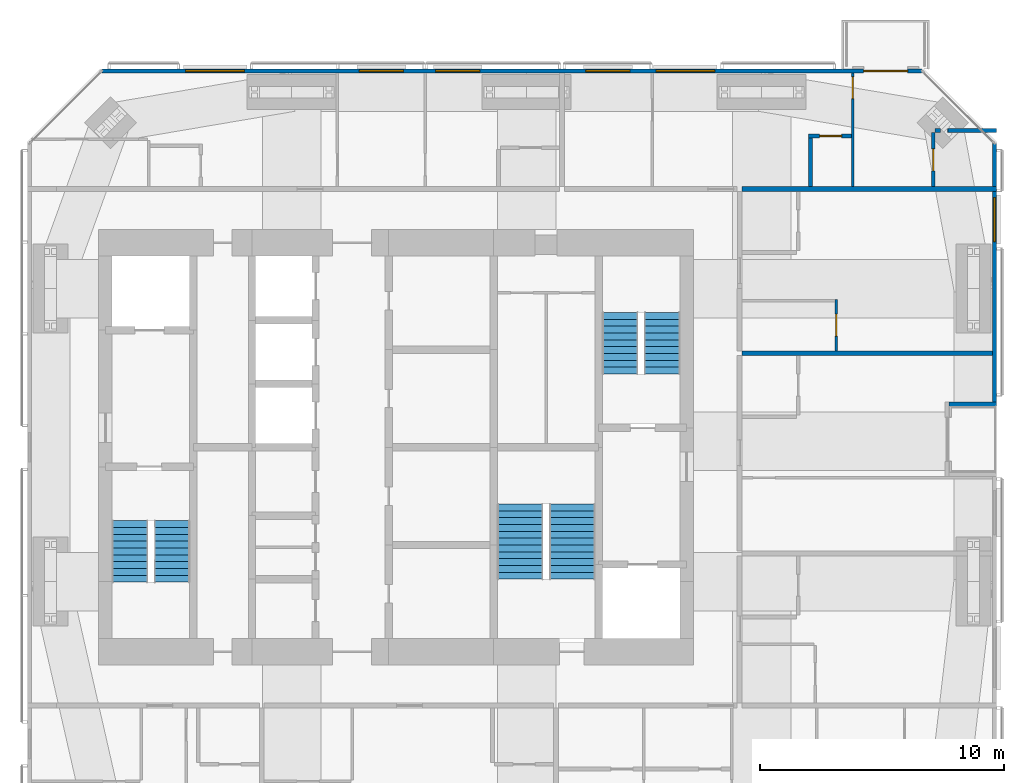
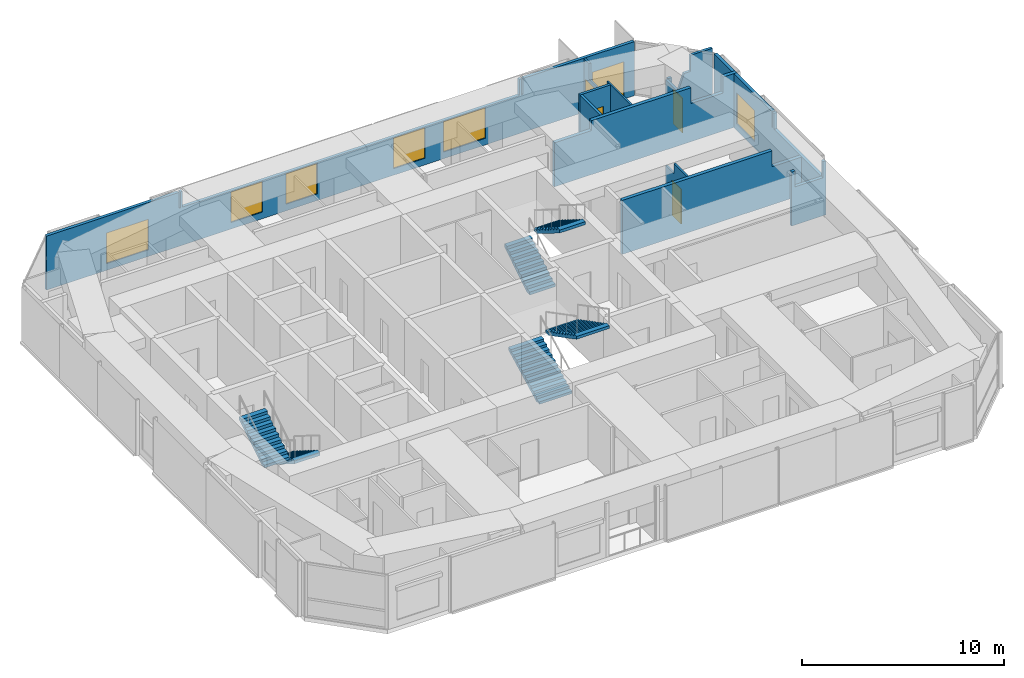
# One storey, part 18 of 19: 12 walls, 6 stair flights, 6 windows, 5 doors, 11 openings, 3 elements without a shape of their own.
"""IFC4 building model written with IfcOpenShell, lengths in metres."""

from ifc_helpers import new_model, si_unit, direction, frame, frame_2d, origin, place, context, subcontext, project, spatial, polyline, rectangle, outline, extrude, material, constituent, constituent_set, type_object, element, fill, aggregate, save


model = new_model("IFC4")

# Units and contexts
model_context = context("Model", 3, precision=1e-05, world=origin(), true_north=direction((0.0, 1.0)))
body_context = subcontext(model_context, "Body", "Model", "MODEL_VIEW")
ifc_project = project(units=[si_unit("LENGTHUNIT", "METRE"), si_unit("AREAUNIT", "SQUARE_METRE"), si_unit("VOLUMEUNIT", "CUBIC_METRE"), si_unit("PLANEANGLEUNIT", "RADIAN"), si_unit("MASSUNIT", "GRAM", prefix="KILO")], contexts=[model_context])

# Site, building, storey
site_placement = place(None, origin())
site = spatial("IfcSite", under=ifc_project, at=site_placement, CompositionType="ELEMENT")
building_placement = place(site_placement, origin())
building = spatial("IfcBuilding", under=site, at=building_placement, Name="Jalousie Tower", CompositionType="ELEMENT")
storey_placement = place(building_placement, frame((0.0, 0.0, 224.949951171875)))
storey = spatial("IfcBuildingStorey", under=building, at=storey_placement, Name="L61", CompositionType="ELEMENT", Elevation=224.949951171875)

# Walls
ifc_material_1 = material(Name="Concrete block ASTM C90", Category="concrete")
ifc_constituent_1 = constituent(ifc_material_1, Name="Body")
ifc_material_2 = material(Name="Render")
ifc_constituent_2 = constituent(ifc_material_2, Name="Finish")
ifc_constituent_set_1 = constituent_set(constituents=[ifc_constituent_1, ifc_constituent_2])
wall_type_1 = type_object("IfcWallType", Name="BATHROOM WALL 150", PredefinedType="PLUMBINGWALL", material=ifc_constituent_set_1)
wall_1_placement = place(storey_placement, frame((53.97509765625, 31.47509765625, 0.0), z_axis=(0.0, 0.0, 1.0), x_axis=(1.0, 0.0, 0.0)))
element("IfcWall", 1, at=wall_1_placement, inside=storey, type_object=wall_type_1, Name="Bathroom Wall 150 L61-A", PredefinedType="PLUMBINGWALL", context=body_context, shape_type="SweptSolid", body=[
    extrude(rectangle(XDim=0.216796875, YDim=0.14990234375, at=frame_2d((0.1083984375, 0.0))), origin(), (0.0, 0.0, 1.0), 2.300048828125),
])
wall_2_placement = place(storey_placement, frame((54.4833984375, 31.47509765625, 0.0), z_axis=(0.0, 0.0, 1.0), x_axis=(1.0, 0.0, 0.0)))
element("IfcWall", 2, at=wall_2_placement, inside=storey, type_object=wall_type_1, Name="Bathroom Wall 150 L61-B", PredefinedType="PLUMBINGWALL", context=body_context, shape_type="SweptSolid", body=[
    extrude(outline(polyline([(0.768310546875, 3.260009765625), (0.768310546875, 2.300048828125), (0.4072265625, 2.300048828125), (0.39599609375, 2.2392578125), (0.0, 1.150146484375), (0.39599609375, 0.06103515625), (0.4072265625, 0.0), (2.0166015625, 0.0), (2.0166015625, 3.260009765625), (0.768310546875, 3.260009765625)])), frame((0.0, 0.074951171875, 0.0), z_axis=(0.0, -1.0, 0.0), x_axis=(1.0, 0.0, 0.0)), (0.0, 0.0, 1.0), 0.14990234375),
])

# Wall, opening, door
wall_3_placement = place(storey_placement, frame((53.89990234375, 31.39990234375, 0.0), z_axis=(0.0, 0.0, 1.0), x_axis=(0.0, -1.0, 0.0)))
wall_3 = element("IfcWall", 3, at=wall_3_placement, inside=storey, type_object=wall_type_1, Name="Bathroom Wall 150 L61", PredefinedType="PLUMBINGWALL", context=body_context, shape_type="SweptSolid", body=[
    extrude(outline(polyline([(0.0, 0.0), (2.224853515625, 0.0), (2.22509765625, 3.260009765625), (2.22509765625, 2.300048828125), (0.43798828125, 2.300048828125), (0.0, 2.300048828125), (0.0, 3.260009765625), (0.0, 0.0)])), frame((0.0, 0.074951171875, 0.0), z_axis=(0.0, -1.0, 0.0), x_axis=(1.0, 0.0, 0.0)), (0.0, 0.0, 1.0), 0.14990234375),
])
opening_1_placement = place(wall_3_placement, frame((0.675048828125, 0.0, 0.0)))
opening_1 = element("IfcOpeningElement", 4, at=opening_1_placement, cuts=wall_3, Name="Opening D3", PredefinedType="OPENING", context=body_context, shape_type="SweptSolid", body=[
    extrude(rectangle(XDim=0.89990234375, YDim=2.10009765625, at=frame_2d((0.449951171875, 1.050048828125))), frame((0.0, 0.0849609375, 0.0), z_axis=(0.0, -1.0, 0.0), x_axis=(1.0, 0.0, 0.0)), (0.0, 0.0, 1.0), 0.169921875),
])
ifc_material_3 = material(Name="Timber door", Category="wood")
door_type_1 = type_object("IfcDoorType", Name="BATHROOM DOOR 900", OperationType="SINGLE_SWING_LEFT", PredefinedType="DOOR", material=ifc_material_3)
door_1_placement = place(opening_1_placement, origin())
door_1 = element("IfcDoor", 5, at=door_1_placement, inside=storey, type_object=door_type_1, Name="Apartment 6105 bathroom door", OperationType="SINGLE_SWING_RIGHT", OverallHeight=2.10009765625, OverallWidth=0.89990234375, PredefinedType="DOOR", context=body_context, shape_type="SweptSolid", body=[
    extrude(rectangle(XDim=0.89990234375, YDim=2.10009765625, at=frame_2d((0.449951171875, 1.050048828125))), frame((0.0, 0.02490234375, 0.0), z_axis=(0.0, -1.0, 0.0), x_axis=(1.0, 0.0, 0.0)), (0.0, 0.0, 1.0), 0.050048828125),
])
fill(opening_1, door_1)

wall_4_placement = place(storey_placement, frame((50.552490234375, 31.25, 0.0), z_axis=(0.0, 0.0, 1.0), x_axis=(-1.0, 0.0, 0.0)))
wall_4 = element("IfcWall", 6, at=wall_4_placement, inside=storey, type_object=wall_type_1, Name="Bathroom Wall 150 L61", PredefinedType="PLUMBINGWALL", context=body_context, shape_type="SweptSolid", body=[
    extrude(rectangle(XDim=1.75, YDim=0.14990234375, at=frame_2d((0.875, 0.0))), origin(), (0.0, 0.0, 1.0), 3.260009765625),
])
opening_2_placement = place(wall_4_placement, frame((0.39990234375, 0.0, 0.0)))
opening_2 = element("IfcOpeningElement", 7, at=opening_2_placement, cuts=wall_4, Name="Opening D7", PredefinedType="OPENING", context=body_context, shape_type="SweptSolid", body=[
    extrude(rectangle(XDim=0.89990234375, YDim=2.10009765625, at=frame_2d((0.449951171875, 1.050048828125))), frame((0.0, 0.0849609375, 0.0), z_axis=(0.0, -1.0, 0.0), x_axis=(1.0, 0.0, 0.0)), (0.0, 0.0, 1.0), 0.169921875),
])
ifc_material_4 = material(Name="Timber door", Category="wood")
door_type_2 = type_object("IfcDoorType", Name="INTERNAL DOOR 900", OperationType="SINGLE_SWING_LEFT", PredefinedType="DOOR", material=ifc_material_4)
door_2_placement = place(opening_2_placement, origin())
door_2 = element("IfcDoor", 8, at=door_2_placement, inside=storey, type_object=door_type_2, Name="Apartment 6105 guest WC door", OperationType="SINGLE_SWING_RIGHT", OverallHeight=2.10009765625, OverallWidth=0.89990234375, PredefinedType="DOOR", context=body_context, shape_type="SweptSolid", body=[
    extrude(rectangle(XDim=0.89990234375, YDim=2.10009765625, at=frame_2d((0.449951171875, 1.050048828125))), frame((0.0, 0.02490234375, 0.0), z_axis=(0.0, -1.0, 0.0), x_axis=(1.0, 0.0, 0.0)), (0.0, 0.0, 1.0), 0.050048828125),
])
fill(opening_2, door_2)

# Wall
wall_5_placement = place(storey_placement, frame((48.87744140625, 29.175048828125, 0.0), z_axis=(0.0, 0.0, 1.0), x_axis=(0.0, 1.0, 0.0)))
element("IfcWall", 9, at=wall_5_placement, inside=storey, type_object=wall_type_1, Name="Bathroom Wall 150 L61", PredefinedType="PLUMBINGWALL", context=body_context, shape_type="SweptSolid", body=[
    extrude(rectangle(XDim=2.0, YDim=0.14990234375, at=frame_2d((1.0, 0.0))), origin(), (0.0, 0.0, 1.0), 3.260009765625),
])

# Wall, opening, window
ifc_material_5 = material(Name="Concrete f'c 40 MPa", Category="concrete")
ifc_constituent_3 = constituent(ifc_material_5, Name="Body")
ifc_material_6 = material(Name="Render, pastel sky blue")
ifc_constituent_4 = constituent(ifc_material_6, Name="Finish")
ifc_constituent_set_2 = constituent_set(constituents=[ifc_constituent_3, ifc_constituent_4])
wall_type_2 = type_object("IfcWallType", Name="EXTERNAL WALL 175 SKY BLUE RENDER", PredefinedType="SOLIDWALL", material=ifc_constituent_set_2)
wall_6_placement = place(storey_placement, frame((56.41259765625, 20.35009765625, 0.0), z_axis=(0.0, 0.0, 1.0), x_axis=(0.0, 1.0, 0.0)))
wall_6 = element("IfcWall", 10, at=wall_6_placement, inside=storey, type_object=wall_type_2, Name="External Wall 175 Sky Blue Render L61", PredefinedType="SOLIDWALL", context=body_context, shape_type="SweptSolid", body=[
    extrude(outline(polyline([(0.0, 0.0), (10.5986328125, 0.0), (10.5986328125, 3.260009765625), (4.8583984375, 3.260009765625), (4.8583984375, 2.300048828125), (4.79345703125, 2.300048828125), (4.79345703125, 3.260009765625), (4.64990234375, 3.260009765625), (4.64990234375, 2.300048828125), (0.0, 2.300048828125), (0.0, 0.0)])), frame((0.0, 0.08740234375, 0.0), z_axis=(0.0, -1.0, 0.0), x_axis=(1.0, 0.0, 0.0)), (0.0, 0.0, 1.0), 0.175048828125),
])
opening_3_placement = place(wall_6_placement, frame((6.574951171875, 0.0, 0.39990234375)))
opening_3 = element("IfcOpeningElement", 11, at=opening_3_placement, cuts=wall_6, Name="Opening W-BED185", PredefinedType="OPENING", context=body_context, shape_type="SweptSolid", body=[
    extrude(rectangle(XDim=1.800048828125, YDim=1.85009765625, at=frame_2d((0.89990234375, 0.925048828125))), frame((0.0, 0.097412109375, 0.0), z_axis=(0.0, -1.0, 0.0), x_axis=(1.0, 0.0, 0.0)), (0.0, 0.0, 1.0), 0.195068359375),
])
ifc_material_7 = material(Name="Aluminium frame, impact-rated glazing", Category="aluminium")
window_type_1 = type_object("IfcWindowType", Name="WINDOW BED 1800x1850", PartitioningType="SINGLE_PANEL", PredefinedType="WINDOW", material=ifc_material_7)
window_1_placement = place(opening_3_placement, origin())
window_1 = element("IfcWindow", 12, at=window_1_placement, inside=storey, type_object=window_type_1, Name="Apartment 6108 studio living and sleeping room window", OverallHeight=1.85009765625, OverallWidth=1.800048828125, PartitioningType="SINGLE_PANEL", PredefinedType="WINDOW", context=body_context, shape_type="SweptSolid", body=[
    extrude(rectangle(XDim=1.800048828125, YDim=1.85009765625, at=frame_2d((0.89990234375, 0.925048828125))), frame((0.0, 0.030029296875, 0.0), z_axis=(0.0, -1.0, 0.0), x_axis=(1.0, 0.0, 0.0)), (0.0, 0.0, 1.0), 0.06005859375),
])
fill(opening_3, window_1)

# Wall
wall_7_placement = place(storey_placement, frame((56.5, 20.262451171875, 0.0), z_axis=(0.0, 0.0, 1.0), x_axis=(-1.0, 0.0, 0.0)))
element("IfcWall", 13, at=wall_7_placement, inside=storey, type_object=wall_type_2, Name="External Wall 175 Sky Blue Render L61", PredefinedType="SOLIDWALL", context=body_context, shape_type="SweptSolid", body=[
    extrude(outline(polyline([(0.0, 0.0), (1.949951171875, 0.0), (1.949951171875, 3.260009765625), (1.75, 3.260009765625), (1.75, 2.300048828125), (0.14990234375, 2.300048828125), (0.14990234375, 3.260009765625), (0.0, 3.260009765625), (0.0, 0.0)])), frame((0.0, 0.08740234375, 0.0), z_axis=(0.0, -1.0, 0.0), x_axis=(1.0, 0.0, 0.0)), (0.0, 0.0, 1.0), 0.175048828125),
])

# Wall, openings, door, windows
wall_8_placement = place(storey_placement, frame((53.44873046875, 33.91259765625, 0.0), z_axis=(0.0, 0.0, 1.0), x_axis=(-1.0, 0.0, 0.0)))
wall_8 = element("IfcWall", 14, at=wall_8_placement, inside=storey, type_object=wall_type_2, Name="External Wall 175 Sky Blue Render L61", PredefinedType="SOLIDWALL", context=body_context, shape_type="SweptSolid", body=[
    extrude(outline(polyline([(0.0, 0.0), (33.597412109375, 0.0), (33.597412109375, 3.260009765625), (26.03857421875, 3.260009765625), (26.03857421875, 2.300048828125), (25.955078125, 2.300048828125), (25.955078125, 3.260009765625), (25.82373046875, 3.260009765625), (25.82373046875, 2.300048828125), (6.57373046875, 2.300048828125), (6.57373046875, 3.260009765625), (6.4423828125, 3.260009765625), (6.4423828125, 2.300048828125), (6.35888671875, 2.300048828125), (6.35888671875, 3.260009765625), (0.0, 3.260009765625), (0.0, 0.0)])), frame((0.0, 0.08740234375, 0.0), z_axis=(0.0, -1.0, 0.0), x_axis=(1.0, 0.0, 0.0)), (0.0, 0.0, 1.0), 0.175048828125),
])
opening_4_placement = place(wall_8_placement, frame((0.60009765625, 0.0, 0.0)))
opening_4 = element("IfcOpeningElement", 15, at=opening_4_placement, cuts=wall_8, Name="Opening D-BAL22", PredefinedType="OPENING", context=body_context, shape_type="SweptSolid", body=[
    extrude(rectangle(XDim=1.800048828125, YDim=2.25, at=frame_2d((0.89990234375, 1.125))), frame((0.0, 0.097412109375, 0.0), z_axis=(0.0, -1.0, 0.0), x_axis=(1.0, 0.0, 0.0)), (0.0, 0.0, 1.0), 0.195068359375),
])
opening_5_placement = place(wall_8_placement, frame((8.498779296875, 0.0, 0.39990234375)))
opening_5 = element("IfcOpeningElement", 16, at=opening_5_placement, cuts=wall_8, Name="Opening W-LIV185", PredefinedType="OPENING", context=body_context, shape_type="SweptSolid", body=[
    extrude(rectangle(XDim=2.39990234375, YDim=1.85009765625, at=frame_2d((1.199951171875, 0.925048828125))), frame((0.0, 0.097412109375, 0.0), z_axis=(0.0, -1.0, 0.0), x_axis=(1.0, 0.0, 0.0)), (0.0, 0.0, 1.0), 0.195068359375),
])
opening_6_placement = place(wall_8_placement, frame((11.9736328125, 0.0, 0.39990234375)))
opening_6 = element("IfcOpeningElement", 17, at=opening_6_placement, cuts=wall_8, Name="Opening W-BED185", PredefinedType="OPENING", context=body_context, shape_type="SweptSolid", body=[
    extrude(rectangle(XDim=1.800048828125, YDim=1.85009765625, at=frame_2d((0.89990234375, 0.925048828125))), frame((0.0, 0.097412109375, 0.0), z_axis=(0.0, -1.0, 0.0), x_axis=(1.0, 0.0, 0.0)), (0.0, 0.0, 1.0), 0.195068359375),
])
opening_7_placement = place(wall_8_placement, frame((18.123779296875, 0.0, 0.39990234375)))
opening_7 = element("IfcOpeningElement", 18, at=opening_7_placement, cuts=wall_8, Name="Opening W-BED185", PredefinedType="OPENING", context=body_context, shape_type="SweptSolid", body=[
    extrude(rectangle(XDim=1.800048828125, YDim=1.85009765625, at=frame_2d((0.89990234375, 0.925048828125))), frame((0.0, 0.097412109375, 0.0), z_axis=(0.0, -1.0, 0.0), x_axis=(1.0, 0.0, 0.0)), (0.0, 0.0, 1.0), 0.195068359375),
])
opening_8_placement = place(wall_8_placement, frame((21.248779296875, 0.0, 0.39990234375)))
opening_8 = element("IfcOpeningElement", 19, at=opening_8_placement, cuts=wall_8, Name="Opening W-BED185", PredefinedType="OPENING", context=body_context, shape_type="SweptSolid", body=[
    extrude(rectangle(XDim=1.800048828125, YDim=1.85009765625, at=frame_2d((0.89990234375, 0.925048828125))), frame((0.0, 0.097412109375, 0.0), z_axis=(0.0, -1.0, 0.0), x_axis=(1.0, 0.0, 0.0)), (0.0, 0.0, 1.0), 0.195068359375),
])
opening_9_placement = place(wall_8_placement, frame((27.760498046875, 0.0, 0.39990234375)))
opening_9 = element("IfcOpeningElement", 20, at=opening_9_placement, cuts=wall_8, Name="Opening W-LIV185", PredefinedType="OPENING", context=body_context, shape_type="SweptSolid", body=[
    extrude(rectangle(XDim=2.39990234375, YDim=1.85009765625, at=frame_2d((1.199951171875, 0.925048828125))), frame((0.0, 0.097412109375, 0.0), z_axis=(0.0, -1.0, 0.0), x_axis=(1.0, 0.0, 0.0)), (0.0, 0.0, 1.0), 0.195068359375),
])
ifc_material_8 = material(Name="Aluminium frame, impact-rated glazing", Category="aluminium")
door_type_3 = type_object("IfcDoorType", Name="BALCONY DOOR 1800x2250", OperationType="SLIDING_TO_LEFT", PredefinedType="DOOR", material=ifc_material_8)
door_3_placement = place(opening_4_placement, origin())
door_3 = element("IfcDoor", 21, at=door_3_placement, inside=storey, type_object=door_type_3, Name="Apartment 6105 bedroom 1 balcony door", OperationType="SLIDING_TO_LEFT", OverallHeight=2.25, OverallWidth=1.800048828125, PredefinedType="DOOR", context=body_context, shape_type="SweptSolid", body=[
    extrude(rectangle(XDim=1.800048828125, YDim=2.25, at=frame_2d((0.89990234375, 1.125))), frame((0.0, 0.02490234375, 0.0), z_axis=(0.0, -1.0, 0.0), x_axis=(1.0, 0.0, 0.0)), (0.0, 0.0, 1.0), 0.050048828125),
])
fill(opening_4, door_3)
window_2_placement = place(opening_6_placement, origin())
window_2 = element("IfcWindow", 22, at=window_2_placement, inside=storey, type_object=window_type_1, Name="Apartment 6105 bedroom 2 window", OverallHeight=1.85009765625, OverallWidth=1.800048828125, PartitioningType="SINGLE_PANEL", PredefinedType="WINDOW", context=body_context, shape_type="SweptSolid", body=[
    extrude(rectangle(XDim=1.800048828125, YDim=1.85009765625, at=frame_2d((0.89990234375, 0.925048828125))), frame((0.0, 0.030029296875, 0.0), z_axis=(0.0, -1.0, 0.0), x_axis=(1.0, 0.0, 0.0)), (0.0, 0.0, 1.0), 0.06005859375),
])
fill(opening_6, window_2)
window_3_placement = place(opening_7_placement, origin())
window_3 = element("IfcWindow", 23, at=window_3_placement, inside=storey, type_object=window_type_1, Name="Apartment 6104 bedroom 1 window", OverallHeight=1.85009765625, OverallWidth=1.800048828125, PartitioningType="SINGLE_PANEL", PredefinedType="WINDOW", context=body_context, shape_type="SweptSolid", body=[
    extrude(rectangle(XDim=1.800048828125, YDim=1.85009765625, at=frame_2d((0.89990234375, 0.925048828125))), frame((0.0, 0.030029296875, 0.0), z_axis=(0.0, -1.0, 0.0), x_axis=(1.0, 0.0, 0.0)), (0.0, 0.0, 1.0), 0.06005859375),
])
fill(opening_7, window_3)
window_4_placement = place(opening_8_placement, origin())
window_4 = element("IfcWindow", 24, at=window_4_placement, inside=storey, type_object=window_type_1, Name="Apartment 6104 bedroom 2 window", OverallHeight=1.85009765625, OverallWidth=1.800048828125, PartitioningType="SINGLE_PANEL", PredefinedType="WINDOW", context=body_context, shape_type="SweptSolid", body=[
    extrude(rectangle(XDim=1.800048828125, YDim=1.85009765625, at=frame_2d((0.89990234375, 0.925048828125))), frame((0.0, 0.030029296875, 0.0), z_axis=(0.0, -1.0, 0.0), x_axis=(1.0, 0.0, 0.0)), (0.0, 0.0, 1.0), 0.06005859375),
])
fill(opening_8, window_4)
ifc_material_9 = material(Name="Aluminium frame, impact-rated glazing", Category="aluminium")
window_type_2 = type_object("IfcWindowType", Name="WINDOW LIV 2400x1850", PartitioningType="DOUBLE_PANEL_VERTICAL", PredefinedType="WINDOW", material=ifc_material_9)
window_5_placement = place(opening_5_placement, origin())
window_5 = element("IfcWindow", 25, at=window_5_placement, inside=storey, type_object=window_type_2, Name="Apartment 6105 living, dining and kitchen window", OverallHeight=1.85009765625, OverallWidth=2.39990234375, PartitioningType="SINGLE_PANEL", PredefinedType="WINDOW", context=body_context, shape_type="SweptSolid", body=[
    extrude(rectangle(XDim=2.39990234375, YDim=1.85009765625, at=frame_2d((1.199951171875, 0.925048828125))), frame((0.0, 0.030029296875, 0.0), z_axis=(0.0, -1.0, 0.0), x_axis=(1.0, 0.0, 0.0)), (0.0, 0.0, 1.0), 0.06005859375),
])
fill(opening_5, window_5)
window_6_placement = place(opening_9_placement, origin())
window_6 = element("IfcWindow", 26, at=window_6_placement, inside=storey, type_object=window_type_2, Name="Apartment 6104 living and dining room window", OverallHeight=1.85009765625, OverallWidth=2.39990234375, PartitioningType="SINGLE_PANEL", PredefinedType="WINDOW", context=body_context, shape_type="SweptSolid", body=[
    extrude(rectangle(XDim=2.39990234375, YDim=1.85009765625, at=frame_2d((1.199951171875, 0.925048828125))), frame((0.0, 0.030029296875, 0.0), z_axis=(0.0, -1.0, 0.0), x_axis=(1.0, 0.0, 0.0)), (0.0, 0.0, 1.0), 0.06005859375),
])
fill(opening_9, window_6)

# Wall, opening, door
ifc_material_10 = material(Name="Gypsum board", Category="gypsum")
ifc_constituent_5 = constituent(ifc_material_10, Name="Body")
ifc_material_11 = material(Name="Light-gauge steel studs ASTM A653 SS Grade 33", Category="steel")
ifc_constituent_6 = constituent(ifc_material_11, Name="Framing")
ifc_constituent_set_3 = constituent_set(constituents=[ifc_constituent_5, ifc_constituent_6])
wall_type_3 = type_object("IfcWallType", Name="PARTITION 100", PredefinedType="PARTITIONING", material=ifc_constituent_set_3)
wall_9_placement = place(storey_placement, frame((50.6025390625, 33.824951171875, 0.0), z_axis=(0.0, 0.0, 1.0), x_axis=(0.0, -1.0, 0.0)))
wall_9 = element("IfcWall", 27, at=wall_9_placement, inside=storey, type_object=wall_type_3, Name="Partition 100 L61", PredefinedType="PARTITIONING", context=body_context, shape_type="SweptSolid", body=[
    extrude(outline(polyline([(0.0, 0.0), (4.64990234375, 0.0), (4.64990234375, 3.260009765625), (2.279052734375, 3.260009765625), (2.279052734375, 2.300048828125), (0.534423828125, 2.300048828125), (0.534423828125, 3.260009765625), (0.0, 3.260009765625), (0.0, 0.0)])), frame((0.0, 0.050048828125, 0.0), z_axis=(0.0, -1.0, 0.0), x_axis=(1.0, 0.0, 0.0)), (0.0, 0.0, 1.0), 0.10009765625),
])
opening_10_placement = place(wall_9_placement, frame((0.14990234375, 0.0, 0.0)))
opening_10 = element("IfcOpeningElement", 28, at=opening_10_placement, cuts=wall_9, Name="Opening D2", PredefinedType="OPENING", context=body_context, shape_type="SweptSolid", body=[
    extrude(rectangle(XDim=0.89990234375, YDim=2.10009765625, at=frame_2d((0.449951171875, 1.050048828125))), frame((0.0, 0.06005859375, 0.0), z_axis=(0.0, -1.0, 0.0), x_axis=(1.0, 0.0, 0.0)), (0.0, 0.0, 1.0), 0.1201171875),
])
ifc_material_12 = material(Name="Timber door", Category="wood")
door_type_4 = type_object("IfcDoorType", Name="BEDROOM DOOR 900", OperationType="SINGLE_SWING_LEFT", PredefinedType="DOOR", material=ifc_material_12)
door_4_placement = place(opening_10_placement, origin())
door_4 = element("IfcDoor", 29, at=door_4_placement, inside=storey, type_object=door_type_4, Name="Apartment 6105 bedroom 1 door", OperationType="SINGLE_SWING_LEFT", OverallHeight=2.10009765625, OverallWidth=0.89990234375, PredefinedType="DOOR", context=body_context, shape_type="SweptSolid", body=[
    extrude(rectangle(XDim=0.89990234375, YDim=2.10009765625, at=frame_2d((0.449951171875, 1.050048828125))), frame((0.0, 0.02490234375, 0.0), z_axis=(0.0, -1.0, 0.0), x_axis=(1.0, 0.0, 0.0)), (0.0, 0.0, 1.0), 0.050048828125),
])
fill(opening_10, door_4)

wall_10_placement = place(storey_placement, frame((49.925048828125, 22.449951171875, 0.0), z_axis=(0.0, 0.0, 1.0), x_axis=(0.0, 1.0, 0.0)))
wall_10 = element("IfcWall", 30, at=wall_10_placement, inside=storey, type_object=wall_type_3, Name="Partition 100 L61", PredefinedType="PARTITIONING", context=body_context, shape_type="SweptSolid", body=[
    extrude(outline(polyline([(0.0, 0.0), (2.10009765625, 0.0), (2.10009765625, 3.260009765625), (2.10009765625, 2.66015625), (1.2900390625, 2.66015625), (1.2900390625, 3.260009765625), (0.0, 3.260009765625), (0.0, 0.0)])), frame((0.0, 0.050048828125, 0.0), z_axis=(0.0, -1.0, 0.0), x_axis=(1.0, 0.0, 0.0)), (0.0, 0.0, 1.0), 0.10009765625),
])
opening_11_placement = place(wall_10_placement, frame((0.60009765625, 0.0, 0.0)))
opening_11 = element("IfcOpeningElement", 31, at=opening_11_placement, cuts=wall_10, Name="Opening D7", PredefinedType="OPENING", context=body_context, shape_type="SweptSolid", body=[
    extrude(rectangle(XDim=0.89990234375, YDim=2.10009765625, at=frame_2d((0.449951171875, 1.050048828125))), frame((0.0, 0.06005859375, 0.0), z_axis=(0.0, -1.0, 0.0), x_axis=(1.0, 0.0, 0.0)), (0.0, 0.0, 1.0), 0.1201171875),
])
door_5_placement = place(opening_11_placement, origin())
door_5 = element("IfcDoor", 32, at=door_5_placement, inside=storey, type_object=door_type_2, Name="Apartment 6108 kitchen door", OperationType="SINGLE_SWING_RIGHT", OverallHeight=2.10009765625, OverallWidth=0.89990234375, PredefinedType="DOOR", context=body_context, shape_type="SweptSolid", body=[
    extrude(rectangle(XDim=0.89990234375, YDim=2.10009765625, at=frame_2d((0.449951171875, 1.050048828125))), frame((0.0, 0.02490234375, 0.0), z_axis=(0.0, -1.0, 0.0), x_axis=(1.0, 0.0, 0.0)), (0.0, 0.0, 1.0), 0.050048828125),
])
fill(opening_11, door_5)

# Walls
ifc_material_13 = material(Name="Concrete block ASTM C90", Category="concrete")
ifc_constituent_7 = constituent(ifc_material_13, Name="Body")
ifc_material_14 = material(Name="Render")
ifc_constituent_8 = constituent(ifc_material_14, Name="Finish")
ifc_constituent_set_4 = constituent_set(constituents=[ifc_constituent_7, ifc_constituent_8])
wall_type_4 = type_object("IfcWallType", Name="PARTY WALL 200", PredefinedType="PARTITIONING", material=ifc_constituent_set_4)
wall_11_placement = place(storey_placement, frame((46.074951171875, 29.074951171875, 0.0), z_axis=(0.0, 0.0, 1.0), x_axis=(1.0, 0.0, 0.0)))
element("IfcWall", 33, at=wall_11_placement, inside=storey, type_object=wall_type_4, Name="Party Wall 200 L61", PredefinedType="PARTITIONING", context=body_context, shape_type="SweptSolid", body=[
    extrude(outline(polyline([(0.0, 0.0), (10.425048828125, 0.0), (10.425048828125, 3.260009765625), (9.646240234375, 3.260009765625), (9.646240234375, 2.300048828125), (7.79541015625, 2.300048828125), (7.79541015625, 3.260009765625), (2.110107421875, 3.260009765625), (2.110107421875, 2.66015625), (0.0, 2.66015625), (0.0, 3.260009765625), (0.0, 0.0)])), frame((0.0, 0.10009765625, 0.0), z_axis=(0.0, -1.0, 0.0), x_axis=(1.0, 0.0, 0.0)), (0.0, 0.0, 1.0), 0.199951171875),
])
wall_12_placement = place(storey_placement, frame((56.324951171875, 22.35009765625, 0.0), z_axis=(0.0, 0.0, 1.0), x_axis=(-1.0, 0.0, 0.0)))
element("IfcWall", 34, at=wall_12_placement, inside=storey, type_object=wall_type_4, Name="Party Wall 200 L61", PredefinedType="PARTITIONING", context=body_context, shape_type="SweptSolid", body=[
    extrude(outline(polyline([(0.0, 0.0), (10.25, 0.0), (10.25, 3.260009765625), (1.68505859375, 3.260009765625), (1.68505859375, 2.300048828125), (0.0, 2.300048828125), (0.0, 3.260009765625), (0.0, 0.0)])), frame((0.0, 0.10009765625, 0.0), z_axis=(0.0, -1.0, 0.0), x_axis=(1.0, 0.0, 0.0)), (0.0, 0.0, 1.0), 0.199951171875),
])

# Stair, stair flights
ifc_material_15 = material(Name="Concrete f'c 40 MPa", Category="concrete")
stair_type = type_object("IfcStairType", Name="EXIT STAIR", PredefinedType="HALF_TURN_STAIR", material=ifc_material_15)
stair_1_placement = place(storey_placement, origin())
stair_1 = element("IfcStair", 35, at=stair_1_placement, inside=storey, type_object=stair_type, Name="Exit stair A L61", PredefinedType="HALF_TURN_STAIR")
ifc_material_16 = material(Name="Concrete f'c 40 MPa", Category="concrete")
stair_flight_type = type_object("IfcStairFlightType", Name="STAIR FLIGHT", PredefinedType="STRAIGHT", material=ifc_material_16)
stair_flight_1_placement = place(storey_placement, frame((22.71875, 15.49755859375, 0.0), z_axis=(0.0, 0.0, 1.0), x_axis=(0.0, -1.0, 0.0)))
stair_flight_1 = element("IfcStairFlight", 36, at=stair_flight_1_placement, type_object=stair_flight_type, Name="ST-A flight 1", NumberOfRisers=10, NumberOfTreads=9, PredefinedType="STRAIGHT", RiserHeight=0.175, TreadLength=0.28, context=body_context, shape_type="SweptSolid", body=[
    extrude(outline(polyline([(0.0, 0.0), (0.0, 0.175048828125), (0.280029296875, 0.175048828125), (0.280029296875, 0.35009765625), (0.56005859375, 0.35009765625), (0.56005859375, 0.52490234375), (0.840087890625, 0.52490234375), (0.840087890625, 0.699951171875), (1.1201171875, 0.699951171875), (1.1201171875, 0.875), (1.39990234375, 0.875), (1.39990234375, 1.050048828125), (1.679931640625, 1.050048828125), (1.679931640625, 1.22509765625), (1.9599609375, 1.22509765625), (1.9599609375, 1.39990234375), (2.239990234375, 1.39990234375), (2.239990234375, 1.574951171875), (2.52001953125, 1.574951171875), (2.52001953125, 1.75), (2.52001953125, 1.398193359375), (0.28271484375, 0.0), (0.0, 0.0)])), frame((0.0, 0.731201171875, 0.0), z_axis=(0.0, -1.0, 0.0), x_axis=(1.0, 0.0, 0.0)), (0.0, 0.0, 1.0), 1.46240234375),
])
stair_flight_2_placement = place(storey_placement, frame((21.00634765625, 12.9775390625, 1.75), z_axis=(0.0, 0.0, 1.0), x_axis=(0.0, 1.0, 0.0)))
stair_flight_2 = element("IfcStairFlight", 37, at=stair_flight_2_placement, type_object=stair_flight_type, Name="ST-A flight 2", NumberOfRisers=10, NumberOfTreads=9, PredefinedType="STRAIGHT", RiserHeight=0.175, TreadLength=0.28, context=body_context, shape_type="SweptSolid", body=[
    extrude(outline(polyline([(0.0, 0.0), (0.0, 0.175048828125), (0.280029296875, 0.175048828125), (0.280029296875, 0.35009765625), (0.56005859375, 0.35009765625), (0.56005859375, 0.52490234375), (0.840087890625, 0.52490234375), (0.840087890625, 0.699951171875), (1.1201171875, 0.699951171875), (1.1201171875, 0.875), (1.39990234375, 0.875), (1.39990234375, 1.050048828125), (1.679931640625, 1.050048828125), (1.679931640625, 1.22509765625), (1.9599609375, 1.22509765625), (1.9599609375, 1.39990234375), (2.239990234375, 1.39990234375), (2.239990234375, 1.574951171875), (2.52001953125, 1.574951171875), (2.52001953125, 1.75), (2.52001953125, 1.398193359375), (0.28271484375, 0.0), (0.0, 0.0)])), frame((0.0, 0.731201171875, 0.0), z_axis=(0.0, -1.0, 0.0), x_axis=(1.0, 0.0, 0.0)), (0.0, 0.0, 1.0), 1.46240234375),
])
aggregate(stair_1, [stair_flight_1, stair_flight_2])

stair_2_placement = place(storey_placement, origin())
stair_2 = element("IfcStair", 38, at=stair_2_placement, inside=storey, type_object=stair_type, Name="Exit stair B L61", PredefinedType="HALF_TURN_STAIR")
stair_flight_3_placement = place(storey_placement, frame((41.081298828125, 21.50244140625, 0.0), z_axis=(0.0, 0.0, 1.0), x_axis=(0.0, 1.0, 0.0)))
stair_flight_3 = element("IfcStairFlight", 39, at=stair_flight_3_placement, type_object=stair_flight_type, Name="ST-B flight 1", NumberOfRisers=10, NumberOfTreads=9, PredefinedType="STRAIGHT", RiserHeight=0.175, TreadLength=0.28, context=body_context, shape_type="SweptSolid", body=[
    extrude(outline(polyline([(0.0, 0.0), (0.0, 0.175048828125), (0.280029296875, 0.175048828125), (0.280029296875, 0.35009765625), (0.56005859375, 0.35009765625), (0.56005859375, 0.52490234375), (0.840087890625, 0.52490234375), (0.840087890625, 0.699951171875), (1.1201171875, 0.699951171875), (1.1201171875, 0.875), (1.39990234375, 0.875), (1.39990234375, 1.050048828125), (1.679931640625, 1.050048828125), (1.679931640625, 1.22509765625), (1.9599609375, 1.22509765625), (1.9599609375, 1.39990234375), (2.239990234375, 1.39990234375), (2.239990234375, 1.574951171875), (2.52001953125, 1.574951171875), (2.52001953125, 1.75), (2.52001953125, 1.398193359375), (0.28271484375, 0.0), (0.0, 0.0)])), frame((0.0, 0.731201171875, 0.0), z_axis=(0.0, -1.0, 0.0), x_axis=(1.0, 0.0, 0.0)), (0.0, 0.0, 1.0), 1.46240234375),
])
stair_flight_4_placement = place(storey_placement, frame((42.793701171875, 24.0224609375, 1.75), z_axis=(0.0, 0.0, 1.0), x_axis=(0.0, -1.0, 0.0)))
stair_flight_4 = element("IfcStairFlight", 40, at=stair_flight_4_placement, type_object=stair_flight_type, Name="ST-B flight 2", NumberOfRisers=10, NumberOfTreads=9, PredefinedType="STRAIGHT", RiserHeight=0.175, TreadLength=0.28, context=body_context, shape_type="SweptSolid", body=[
    extrude(outline(polyline([(0.0, 0.0), (0.0, 0.175048828125), (0.280029296875, 0.175048828125), (0.280029296875, 0.35009765625), (0.56005859375, 0.35009765625), (0.56005859375, 0.52490234375), (0.840087890625, 0.52490234375), (0.840087890625, 0.699951171875), (1.1201171875, 0.699951171875), (1.1201171875, 0.875), (1.39990234375, 0.875), (1.39990234375, 1.050048828125), (1.679931640625, 1.050048828125), (1.679931640625, 1.22509765625), (1.9599609375, 1.22509765625), (1.9599609375, 1.39990234375), (2.239990234375, 1.39990234375), (2.239990234375, 1.574951171875), (2.52001953125, 1.574951171875), (2.52001953125, 1.75), (2.52001953125, 1.398193359375), (0.28271484375, 0.0), (0.0, 0.0)])), frame((0.0, 0.731201171875, 0.0), z_axis=(0.0, -1.0, 0.0), x_axis=(1.0, 0.0, 0.0)), (0.0, 0.0, 1.0), 1.46240234375),
])
aggregate(stair_2, [stair_flight_3, stair_flight_4])

stair_3_placement = place(storey_placement, origin())
stair_3 = element("IfcStair", 41, at=stair_3_placement, inside=storey, type_object=stair_type, Name="Exit stair C L61", PredefinedType="HALF_TURN_STAIR")
stair_flight_5_placement = place(storey_placement, frame((36.987548828125, 13.097412109375, 0.0), z_axis=(0.0, 0.0, 1.0), x_axis=(0.0, 1.0, 0.0)))
stair_flight_5 = element("IfcStairFlight", 42, at=stair_flight_5_placement, type_object=stair_flight_type, Name="ST-C flight 1", NumberOfRisers=12, NumberOfTreads=11, PredefinedType="STRAIGHT", RiserHeight=0.145833333, TreadLength=0.28, context=body_context, shape_type="SweptSolid", body=[
    extrude(outline(polyline([(0.0, 0.0), (0.0, 0.145751953125), (0.280029296875, 0.145751953125), (0.280029296875, 0.291748046875), (0.56005859375, 0.291748046875), (0.56005859375, 0.4375), (0.840087890625, 0.4375), (0.840087890625, 0.583251953125), (1.1201171875, 0.583251953125), (1.1201171875, 0.729248046875), (1.39990234375, 0.729248046875), (1.39990234375, 0.875), (1.679931640625, 0.875), (1.679931640625, 1.020751953125), (1.9599609375, 1.020751953125), (1.9599609375, 1.166748046875), (2.239990234375, 1.166748046875), (2.239990234375, 1.3125), (2.52001953125, 1.3125), (2.52001953125, 1.458251953125), (2.800048828125, 1.458251953125), (2.800048828125, 1.604248046875), (3.080078125, 1.604248046875), (3.080078125, 1.75), (3.080078125, 1.43505859375), (0.324462890625, 0.0), (0.0, 0.0)])), frame((0.0, 0.9375, 0.0), z_axis=(0.0, -1.0, 0.0), x_axis=(1.0, 0.0, 0.0)), (0.0, 0.0, 1.0), 1.875),
])
stair_flight_6_placement = place(storey_placement, frame((39.112548828125, 16.177490234375, 1.75), z_axis=(0.0, 0.0, 1.0), x_axis=(0.0, -1.0, 0.0)))
stair_flight_6 = element("IfcStairFlight", 43, at=stair_flight_6_placement, type_object=stair_flight_type, Name="ST-C flight 2", NumberOfRisers=12, NumberOfTreads=11, PredefinedType="STRAIGHT", RiserHeight=0.145833333, TreadLength=0.28, context=body_context, shape_type="SweptSolid", body=[
    extrude(outline(polyline([(0.0, 0.0), (0.0, 0.145751953125), (0.280029296875, 0.145751953125), (0.280029296875, 0.291748046875), (0.56005859375, 0.291748046875), (0.56005859375, 0.4375), (0.840087890625, 0.4375), (0.840087890625, 0.583251953125), (1.1201171875, 0.583251953125), (1.1201171875, 0.729248046875), (1.39990234375, 0.729248046875), (1.39990234375, 0.875), (1.679931640625, 0.875), (1.679931640625, 1.020751953125), (1.9599609375, 1.020751953125), (1.9599609375, 1.166748046875), (2.239990234375, 1.166748046875), (2.239990234375, 1.3125), (2.52001953125, 1.3125), (2.52001953125, 1.458251953125), (2.800048828125, 1.458251953125), (2.800048828125, 1.604248046875), (3.080078125, 1.604248046875), (3.080078125, 1.75), (3.080078125, 1.43505859375), (0.324462890625, 0.0), (0.0, 0.0)])), frame((0.0, 0.9375, 0.0), z_axis=(0.0, -1.0, 0.0), x_axis=(1.0, 0.0, 0.0)), (0.0, 0.0, 1.0), 1.875),
])
aggregate(stair_3, [stair_flight_5, stair_flight_6])

save(model, "model.ifc")
